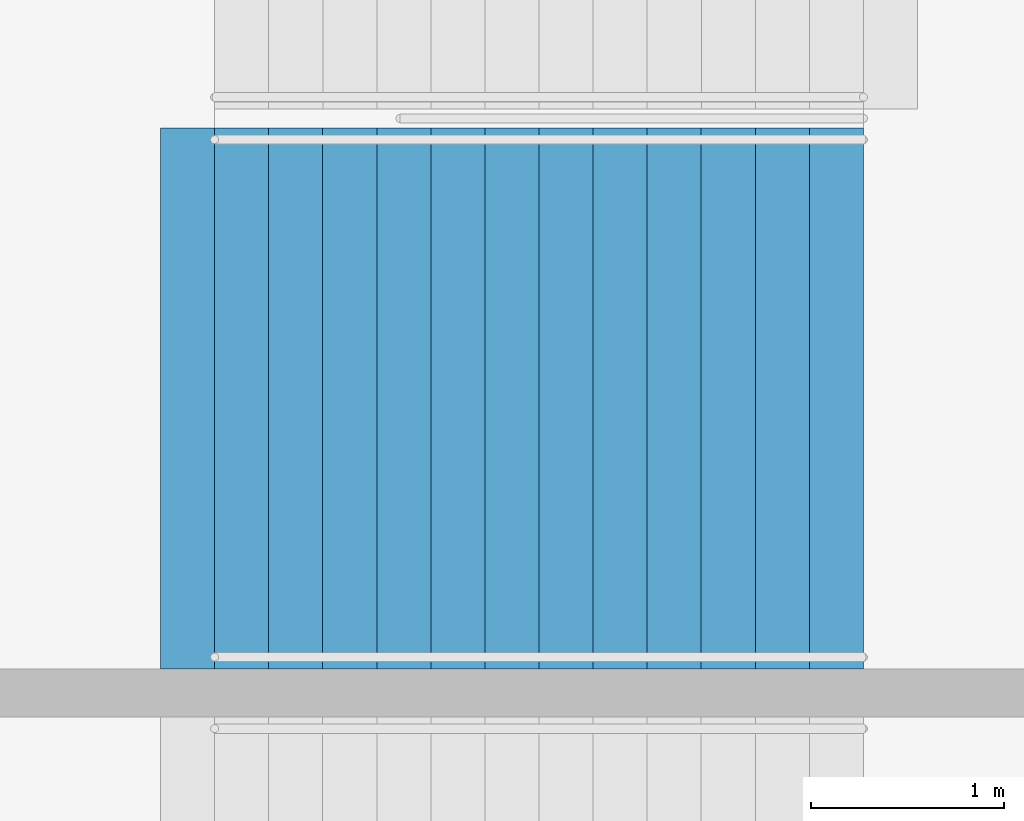
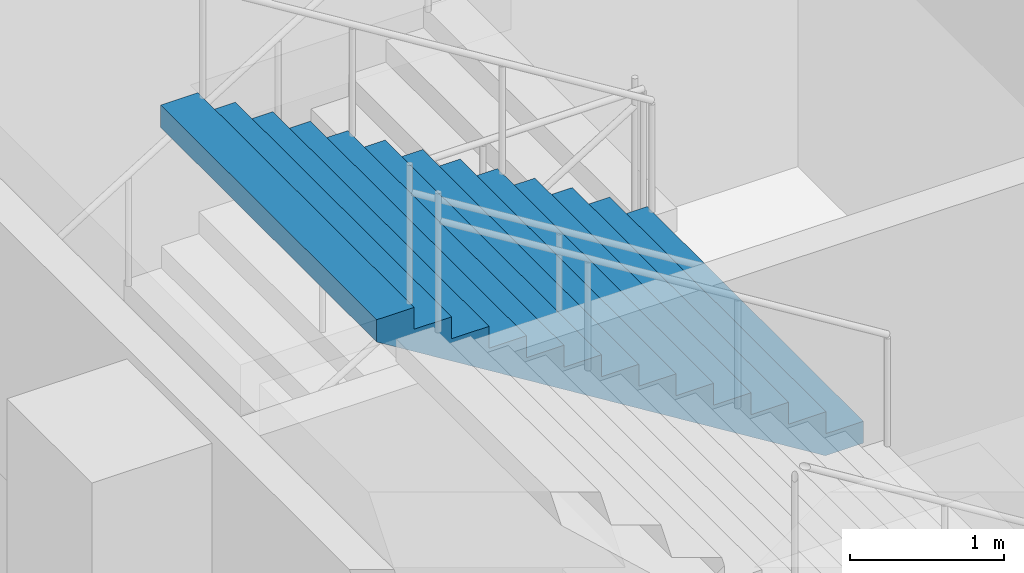
# One storey, part 106 of 175: 1 stair flight, 1 element without a shape of its own.
"""IFC4 building model written with IfcOpenShell, lengths in metres."""

from ifc_helpers import new_model, si_unit, direction, frame, origin, place, context, subcontext, project, spatial, faceted_brep, material, type_object, element, aggregate, save


model = new_model("IFC4")

# Units and contexts
model_context = context("Model", 3, precision=1e-05, world=origin(), true_north=direction((0.0, 1.0)))
body_context = subcontext(model_context, "Body", "Model", "MODEL_VIEW")
ifc_project = project(units=[si_unit("LENGTHUNIT", "METRE"), si_unit("AREAUNIT", "SQUARE_METRE"), si_unit("VOLUMEUNIT", "CUBIC_METRE"), si_unit("PLANEANGLEUNIT", "RADIAN"), si_unit("MASSUNIT", "GRAM", prefix="KILO")], contexts=[model_context])

# Site, building, storey
site_placement = place(None, origin())
site = spatial("IfcSite", under=ifc_project, at=site_placement, CompositionType="ELEMENT")
building_placement = place(site_placement, origin())
building = spatial("IfcBuilding", under=site, at=building_placement, Name="Ogive Plaza Stadium", CompositionType="ELEMENT")
storey_placement = place(building_placement, origin())
storey = spatial("IfcBuildingStorey", under=building, at=storey_placement, Name="L00", CompositionType="ELEMENT", Elevation=0.0)

# Stair, stair flight
ifc_material_1 = material(Name="Concrete C40/50", Category="concrete")
stair_type = type_object("IfcStairType", Name="Exit stair", PredefinedType="STRAIGHT_RUN_STAIR", material=ifc_material_1)
stair_placement = place(storey_placement, origin())
stair = element("IfcStair", 1, at=stair_placement, inside=storey, type_object=stair_type, Name="Exit stair ST04B L00 to L01", PredefinedType="STRAIGHT_RUN_STAIR")
ifc_material_2 = material(Name="Concrete C40/50", Category="concrete")
stair_flight_type = type_object("IfcStairFlightType", Name="Exit stair flight", PredefinedType="STRAIGHT", material=ifc_material_2)
stair_flight_placement = place(storey_placement, frame((79.7099609375, 9.02490234375, 2.25), z_axis=(0.0, 0.0, 1.0), x_axis=(-1.0, 0.0, 0.0)))
stair_flight = element("IfcStairFlight", 2, at=stair_flight_placement, type_object=stair_flight_type, Name="ST04B flight 2", NumberOfRisers=13, NumberOfTreads=12, PredefinedType="STRAIGHT", RiserHeight=0.173076923, TreadLength=0.28, context=body_context, shape_type="Brep", body=[
    faceted_brep([(0.28515625, -1.39990234375, 0.0), (3.639892578125, -1.39990234375, 2.07373046875), (3.639892578125, -1.39990234375, 2.25), (3.360107421875, -1.39990234375, 2.25), (3.360107421875, -1.39990234375, 2.076904296875), (3.080078125, -1.39990234375, 2.076904296875), (3.080078125, -1.39990234375, 1.90380859375), (2.800048828125, -1.39990234375, 1.90380859375), (2.800048828125, -1.39990234375, 1.730712890625), (2.52001953125, -1.39990234375, 1.730712890625), (2.52001953125, -1.39990234375, 1.5576171875), (2.239990234375, -1.39990234375, 1.5576171875), (2.239990234375, -1.39990234375, 1.384521484375), (1.9599609375, -1.39990234375, 1.384521484375), (1.9599609375, -1.39990234375, 1.21142578125), (1.679931640625, -1.39990234375, 1.21142578125), (1.679931640625, -1.39990234375, 1.03857421875), (1.39990234375, -1.39990234375, 1.03857421875), (1.39990234375, -1.39990234375, 0.865478515625), (1.1201171875, -1.39990234375, 0.865478515625), (1.1201171875, -1.39990234375, 0.6923828125), (0.840087890625, -1.39990234375, 0.6923828125), (0.840087890625, -1.39990234375, 0.519287109375), (0.56005859375, -1.39990234375, 0.519287109375), (0.56005859375, -1.39990234375, 0.34619140625), (0.280029296875, -1.39990234375, 0.34619140625), (0.280029296875, -1.39990234375, 0.173095703125), (0.0, -1.39990234375, 0.173095703125), (0.0, -1.39990234375, 0.0), (0.0, 1.39990234375, 0.0), (0.0, 1.39990234375, 0.173095703125), (0.280029296875, 1.39990234375, 0.173095703125), (0.280029296875, 1.39990234375, 0.34619140625), (0.56005859375, 1.39990234375, 0.34619140625), (0.56005859375, 1.39990234375, 0.519287109375), (0.840087890625, 1.39990234375, 0.519287109375), (0.840087890625, 1.39990234375, 0.6923828125), (1.1201171875, 1.39990234375, 0.6923828125), (1.1201171875, 1.39990234375, 0.865478515625), (1.39990234375, 1.39990234375, 0.865478515625), (1.39990234375, 1.39990234375, 1.03857421875), (1.679931640625, 1.39990234375, 1.03857421875), (1.679931640625, 1.39990234375, 1.21142578125), (1.9599609375, 1.39990234375, 1.21142578125), (1.9599609375, 1.39990234375, 1.384521484375), (2.239990234375, 1.39990234375, 1.384521484375), (2.239990234375, 1.39990234375, 1.5576171875), (2.52001953125, 1.39990234375, 1.5576171875), (2.52001953125, 1.39990234375, 1.730712890625), (2.800048828125, 1.39990234375, 1.730712890625), (2.800048828125, 1.39990234375, 1.90380859375), (3.080078125, 1.39990234375, 1.90380859375), (3.080078125, 1.39990234375, 2.076904296875), (3.360107421875, 1.39990234375, 2.076904296875), (3.360107421875, 1.39990234375, 2.25), (3.639892578125, 1.39990234375, 2.25), (3.639892578125, 1.39990234375, 2.07373046875), (0.28515625, 1.39990234375, 0.0), (0.28515625, -1.0888671875, 0.0), (3.639892578125, -1.0888671875, 2.07373046875), (0.28515625, -0.77783203125, 0.0), (3.639892578125, -0.77783203125, 2.07373046875), (0.28515625, -0.466796875, 0.0), (3.639892578125, -0.466796875, 2.07373046875), (0.28515625, -0.155517578125, 0.0), (3.639892578125, -0.155517578125, 2.07373046875), (0.28515625, 0.155517578125, 0.0), (3.639892578125, 0.155517578125, 2.07373046875), (0.28515625, 0.466796875, 0.0), (3.639892578125, 0.466796875, 2.07373046875), (0.28515625, 0.77783203125, 0.0), (3.639892578125, 0.77783203125, 2.07373046875), (0.28515625, 1.0888671875, 0.0), (3.639892578125, 1.0888671875, 2.07373046875), (3.639892578125, -1.0888671875, 2.25), (3.639892578125, -0.77783203125, 2.25), (3.639892578125, -0.466796875, 2.25), (3.639892578125, -0.155517578125, 2.25), (3.639892578125, 0.155517578125, 2.25), (3.639892578125, 0.466796875, 2.25), (3.639892578125, 0.77783203125, 2.25), (3.639892578125, 1.0888671875, 2.25), (3.360107421875, -1.0888671875, 2.25), (3.360107421875, -0.77783203125, 2.25), (3.360107421875, -0.466796875, 2.25), (3.360107421875, -0.155517578125, 2.25), (3.360107421875, 0.155517578125, 2.25), (3.360107421875, 0.466796875, 2.25), (3.360107421875, 0.77783203125, 2.25), (3.360107421875, 1.0888671875, 2.25), (3.360107421875, -1.0888671875, 2.076904296875), (3.360107421875, -0.77783203125, 2.076904296875), (3.360107421875, -0.466796875, 2.076904296875), (3.360107421875, -0.155517578125, 2.076904296875), (3.360107421875, 0.155517578125, 2.076904296875), (3.360107421875, 0.466796875, 2.076904296875), (3.360107421875, 0.77783203125, 2.076904296875), (3.360107421875, 1.0888671875, 2.076904296875), (3.080078125, -1.0888671875, 2.076904296875), (3.080078125, -0.77783203125, 2.076904296875), (3.080078125, -0.466796875, 2.076904296875), (3.080078125, -0.155517578125, 2.076904296875), (3.080078125, 0.155517578125, 2.076904296875), (3.080078125, 0.466796875, 2.076904296875), (3.080078125, 0.77783203125, 2.076904296875), (3.080078125, 1.0888671875, 2.076904296875), (3.080078125, -1.0888671875, 1.90380859375), (3.080078125, -0.77783203125, 1.90380859375), (3.080078125, -0.466796875, 1.90380859375), (3.080078125, -0.155517578125, 1.90380859375), (3.080078125, 0.155517578125, 1.90380859375), (3.080078125, 0.466796875, 1.90380859375), (3.080078125, 0.77783203125, 1.90380859375), (3.080078125, 1.0888671875, 1.90380859375), (2.800048828125, -1.0888671875, 1.90380859375), (2.800048828125, -0.77783203125, 1.90380859375), (2.800048828125, -0.466796875, 1.90380859375), (2.800048828125, -0.155517578125, 1.90380859375), (2.800048828125, 0.155517578125, 1.90380859375), (2.800048828125, 0.466796875, 1.90380859375), (2.800048828125, 0.77783203125, 1.90380859375), (2.800048828125, 1.0888671875, 1.90380859375), (2.800048828125, -1.0888671875, 1.730712890625), (2.800048828125, -0.77783203125, 1.730712890625), (2.800048828125, -0.466796875, 1.730712890625), (2.800048828125, -0.155517578125, 1.730712890625), (2.800048828125, 0.155517578125, 1.730712890625), (2.800048828125, 0.466796875, 1.730712890625), (2.800048828125, 0.77783203125, 1.730712890625), (2.800048828125, 1.0888671875, 1.730712890625), (2.52001953125, -1.0888671875, 1.730712890625), (2.52001953125, -0.77783203125, 1.730712890625), (2.52001953125, -0.466796875, 1.730712890625), (2.52001953125, -0.155517578125, 1.730712890625), (2.52001953125, 0.155517578125, 1.730712890625), (2.52001953125, 0.466796875, 1.730712890625), (2.52001953125, 0.77783203125, 1.730712890625), (2.52001953125, 1.0888671875, 1.730712890625), (2.52001953125, -1.0888671875, 1.5576171875), (2.52001953125, -0.77783203125, 1.5576171875), (2.52001953125, -0.466796875, 1.5576171875), (2.52001953125, -0.155517578125, 1.5576171875), (2.52001953125, 0.155517578125, 1.5576171875), (2.52001953125, 0.466796875, 1.5576171875), (2.52001953125, 0.77783203125, 1.5576171875), (2.52001953125, 1.0888671875, 1.5576171875), (2.239990234375, -1.0888671875, 1.5576171875), (2.239990234375, -0.77783203125, 1.5576171875), (2.239990234375, -0.466796875, 1.5576171875), (2.239990234375, -0.155517578125, 1.5576171875), (2.239990234375, 0.155517578125, 1.5576171875), (2.239990234375, 0.466796875, 1.5576171875), (2.239990234375, 0.77783203125, 1.5576171875), (2.239990234375, 1.0888671875, 1.5576171875), (2.239990234375, -1.0888671875, 1.384521484375), (2.239990234375, -0.77783203125, 1.384521484375), (2.239990234375, -0.466796875, 1.384521484375), (2.239990234375, -0.155517578125, 1.384521484375), (2.239990234375, 0.155517578125, 1.384521484375), (2.239990234375, 0.466796875, 1.384521484375), (2.239990234375, 0.77783203125, 1.384521484375), (2.239990234375, 1.0888671875, 1.384521484375), (1.9599609375, -1.0888671875, 1.384521484375), (1.9599609375, -0.77783203125, 1.384521484375), (1.9599609375, -0.466796875, 1.384521484375), (1.9599609375, -0.155517578125, 1.384521484375), (1.9599609375, 0.155517578125, 1.384521484375), (1.9599609375, 0.466796875, 1.384521484375), (1.9599609375, 0.77783203125, 1.384521484375), (1.9599609375, 1.0888671875, 1.384521484375), (1.9599609375, -1.0888671875, 1.21142578125), (1.9599609375, -0.77783203125, 1.21142578125), (1.9599609375, -0.466796875, 1.21142578125), (1.9599609375, -0.155517578125, 1.21142578125), (1.9599609375, 0.155517578125, 1.21142578125), (1.9599609375, 0.466796875, 1.21142578125), (1.9599609375, 0.77783203125, 1.21142578125), (1.9599609375, 1.0888671875, 1.21142578125), (1.679931640625, -1.0888671875, 1.21142578125), (1.679931640625, -0.77783203125, 1.21142578125), (1.679931640625, -0.466796875, 1.21142578125), (1.679931640625, -0.155517578125, 1.21142578125), (1.679931640625, 0.155517578125, 1.21142578125), (1.679931640625, 0.466796875, 1.21142578125), (1.679931640625, 0.77783203125, 1.21142578125), (1.679931640625, 1.0888671875, 1.21142578125), (1.679931640625, -1.0888671875, 1.03857421875), (1.679931640625, -0.77783203125, 1.03857421875), (1.679931640625, -0.466796875, 1.03857421875), (1.679931640625, -0.155517578125, 1.03857421875), (1.679931640625, 0.155517578125, 1.03857421875), (1.679931640625, 0.466796875, 1.03857421875), (1.679931640625, 0.77783203125, 1.03857421875), (1.679931640625, 1.0888671875, 1.03857421875), (1.39990234375, -1.0888671875, 1.03857421875), (1.39990234375, -0.77783203125, 1.03857421875), (1.39990234375, -0.466796875, 1.03857421875), (1.39990234375, -0.155517578125, 1.03857421875), (1.39990234375, 0.155517578125, 1.03857421875), (1.39990234375, 0.466796875, 1.03857421875), (1.39990234375, 0.77783203125, 1.03857421875), (1.39990234375, 1.0888671875, 1.03857421875), (1.39990234375, -1.0888671875, 0.865478515625), (1.39990234375, -0.77783203125, 0.865478515625), (1.39990234375, -0.466796875, 0.865478515625), (1.39990234375, -0.155517578125, 0.865478515625), (1.39990234375, 0.155517578125, 0.865478515625), (1.39990234375, 0.466796875, 0.865478515625), (1.39990234375, 0.77783203125, 0.865478515625), (1.39990234375, 1.0888671875, 0.865478515625), (1.1201171875, -1.0888671875, 0.865478515625), (1.1201171875, -0.77783203125, 0.865478515625), (1.1201171875, -0.466796875, 0.865478515625), (1.1201171875, -0.155517578125, 0.865478515625), (1.1201171875, 0.155517578125, 0.865478515625), (1.1201171875, 0.466796875, 0.865478515625), (1.1201171875, 0.77783203125, 0.865478515625), (1.1201171875, 1.0888671875, 0.865478515625), (1.1201171875, -1.0888671875, 0.6923828125), (1.1201171875, -0.77783203125, 0.6923828125), (1.1201171875, -0.466796875, 0.6923828125), (1.1201171875, -0.155517578125, 0.6923828125), (1.1201171875, 0.155517578125, 0.6923828125), (1.1201171875, 0.466796875, 0.6923828125), (1.1201171875, 0.77783203125, 0.6923828125), (1.1201171875, 1.0888671875, 0.6923828125), (0.840087890625, -1.0888671875, 0.6923828125), (0.840087890625, -0.77783203125, 0.6923828125), (0.840087890625, -0.466796875, 0.6923828125), (0.840087890625, -0.155517578125, 0.6923828125), (0.840087890625, 0.155517578125, 0.6923828125), (0.840087890625, 0.466796875, 0.6923828125), (0.840087890625, 0.77783203125, 0.6923828125), (0.840087890625, 1.0888671875, 0.6923828125), (0.840087890625, -1.0888671875, 0.519287109375), (0.840087890625, -0.77783203125, 0.519287109375), (0.840087890625, -0.466796875, 0.519287109375), (0.840087890625, -0.155517578125, 0.519287109375), (0.840087890625, 0.155517578125, 0.519287109375), (0.840087890625, 0.466796875, 0.519287109375), (0.840087890625, 0.77783203125, 0.519287109375), (0.840087890625, 1.0888671875, 0.519287109375), (0.56005859375, -1.0888671875, 0.519287109375), (0.56005859375, -0.77783203125, 0.519287109375), (0.56005859375, -0.466796875, 0.519287109375), (0.56005859375, -0.155517578125, 0.519287109375), (0.56005859375, 0.155517578125, 0.519287109375), (0.56005859375, 0.466796875, 0.519287109375), (0.56005859375, 0.77783203125, 0.519287109375), (0.56005859375, 1.0888671875, 0.519287109375), (0.56005859375, -1.0888671875, 0.34619140625), (0.56005859375, -0.77783203125, 0.34619140625), (0.56005859375, -0.466796875, 0.34619140625), (0.56005859375, -0.155517578125, 0.34619140625), (0.56005859375, 0.155517578125, 0.34619140625), (0.56005859375, 0.466796875, 0.34619140625), (0.56005859375, 0.77783203125, 0.34619140625), (0.56005859375, 1.0888671875, 0.34619140625), (0.280029296875, -1.0888671875, 0.34619140625), (0.280029296875, -0.77783203125, 0.34619140625), (0.280029296875, -0.466796875, 0.34619140625), (0.280029296875, -0.155517578125, 0.34619140625), (0.280029296875, 0.155517578125, 0.34619140625), (0.280029296875, 0.466796875, 0.34619140625), (0.280029296875, 0.77783203125, 0.34619140625), (0.280029296875, 1.0888671875, 0.34619140625), (0.280029296875, -1.0888671875, 0.173095703125), (0.280029296875, -0.77783203125, 0.173095703125), (0.280029296875, -0.466796875, 0.173095703125), (0.280029296875, -0.155517578125, 0.173095703125), (0.280029296875, 0.155517578125, 0.173095703125), (0.280029296875, 0.466796875, 0.173095703125), (0.280029296875, 0.77783203125, 0.173095703125), (0.280029296875, 1.0888671875, 0.173095703125), (0.0, -1.0888671875, 0.173095703125), (0.0, -0.77783203125, 0.173095703125), (0.0, -0.466796875, 0.173095703125), (0.0, -0.155517578125, 0.173095703125), (0.0, 0.155517578125, 0.173095703125), (0.0, 0.466796875, 0.173095703125), (0.0, 0.77783203125, 0.173095703125), (0.0, 1.0888671875, 0.173095703125), (0.0, -1.0888671875, 0.0), (0.0, -0.77783203125, 0.0), (0.0, -0.466796875, 0.0), (0.0, -0.155517578125, 0.0), (0.0, 0.155517578125, 0.0), (0.0, 0.466796875, 0.0), (0.0, 0.77783203125, 0.0), (0.0, 1.0888671875, 0.0)], [[[0, 1, 2, 3, 4, 5, 6, 7, 8, 9, 10, 11, 12, 13, 14, 15, 16, 17, 18, 19, 20, 21, 22, 23, 24, 25, 26, 27, 28]], [[29, 30, 31, 32, 33, 34, 35, 36, 37, 38, 39, 40, 41, 42, 43, 44, 45, 46, 47, 48, 49, 50, 51, 52, 53, 54, 55, 56, 57]], [[0, 58, 59, 1]], [[58, 60, 61, 59]], [[60, 62, 63, 61]], [[62, 64, 65, 63]], [[64, 66, 67, 65]], [[66, 68, 69, 67]], [[68, 70, 71, 69]], [[70, 72, 73, 71]], [[72, 57, 56, 73]], [[1, 59, 74, 2]], [[59, 61, 75, 74]], [[61, 63, 76, 75]], [[63, 65, 77, 76]], [[65, 67, 78, 77]], [[67, 69, 79, 78]], [[69, 71, 80, 79]], [[71, 73, 81, 80]], [[73, 56, 55, 81]], [[2, 74, 82, 3]], [[74, 75, 83, 82]], [[75, 76, 84, 83]], [[76, 77, 85, 84]], [[77, 78, 86, 85]], [[78, 79, 87, 86]], [[79, 80, 88, 87]], [[80, 81, 89, 88]], [[81, 55, 54, 89]], [[3, 82, 90, 4]], [[82, 83, 91, 90]], [[83, 84, 92, 91]], [[84, 85, 93, 92]], [[85, 86, 94, 93]], [[86, 87, 95, 94]], [[87, 88, 96, 95]], [[88, 89, 97, 96]], [[89, 54, 53, 97]], [[4, 90, 98, 5]], [[90, 91, 99, 98]], [[91, 92, 100, 99]], [[92, 93, 101, 100]], [[93, 94, 102, 101]], [[94, 95, 103, 102]], [[95, 96, 104, 103]], [[96, 97, 105, 104]], [[97, 53, 52, 105]], [[5, 98, 106, 6]], [[98, 99, 107, 106]], [[99, 100, 108, 107]], [[100, 101, 109, 108]], [[101, 102, 110, 109]], [[102, 103, 111, 110]], [[103, 104, 112, 111]], [[104, 105, 113, 112]], [[105, 52, 51, 113]], [[6, 106, 114, 7]], [[106, 107, 115, 114]], [[107, 108, 116, 115]], [[108, 109, 117, 116]], [[109, 110, 118, 117]], [[110, 111, 119, 118]], [[111, 112, 120, 119]], [[112, 113, 121, 120]], [[113, 51, 50, 121]], [[7, 114, 122, 8]], [[114, 115, 123, 122]], [[115, 116, 124, 123]], [[116, 117, 125, 124]], [[117, 118, 126, 125]], [[118, 119, 127, 126]], [[119, 120, 128, 127]], [[120, 121, 129, 128]], [[121, 50, 49, 129]], [[8, 122, 130, 9]], [[122, 123, 131, 130]], [[123, 124, 132, 131]], [[124, 125, 133, 132]], [[125, 126, 134, 133]], [[126, 127, 135, 134]], [[127, 128, 136, 135]], [[128, 129, 137, 136]], [[129, 49, 48, 137]], [[9, 130, 138, 10]], [[130, 131, 139, 138]], [[131, 132, 140, 139]], [[132, 133, 141, 140]], [[133, 134, 142, 141]], [[134, 135, 143, 142]], [[135, 136, 144, 143]], [[136, 137, 145, 144]], [[137, 48, 47, 145]], [[10, 138, 146, 11]], [[138, 139, 147, 146]], [[139, 140, 148, 147]], [[140, 141, 149, 148]], [[141, 142, 150, 149]], [[142, 143, 151, 150]], [[143, 144, 152, 151]], [[144, 145, 153, 152]], [[145, 47, 46, 153]], [[11, 146, 154, 12]], [[146, 147, 155, 154]], [[147, 148, 156, 155]], [[148, 149, 157, 156]], [[149, 150, 158, 157]], [[150, 151, 159, 158]], [[151, 152, 160, 159]], [[152, 153, 161, 160]], [[153, 46, 45, 161]], [[12, 154, 162, 13]], [[154, 155, 163, 162]], [[155, 156, 164, 163]], [[156, 157, 165, 164]], [[157, 158, 166, 165]], [[158, 159, 167, 166]], [[159, 160, 168, 167]], [[160, 161, 169, 168]], [[161, 45, 44, 169]], [[13, 162, 170, 14]], [[162, 163, 171, 170]], [[163, 164, 172, 171]], [[164, 165, 173, 172]], [[165, 166, 174, 173]], [[166, 167, 175, 174]], [[167, 168, 176, 175]], [[168, 169, 177, 176]], [[169, 44, 43, 177]], [[14, 170, 178, 15]], [[170, 171, 179, 178]], [[171, 172, 180, 179]], [[172, 173, 181, 180]], [[173, 174, 182, 181]], [[174, 175, 183, 182]], [[175, 176, 184, 183]], [[176, 177, 185, 184]], [[177, 43, 42, 185]], [[15, 178, 186, 16]], [[178, 179, 187, 186]], [[179, 180, 188, 187]], [[180, 181, 189, 188]], [[181, 182, 190, 189]], [[182, 183, 191, 190]], [[183, 184, 192, 191]], [[184, 185, 193, 192]], [[185, 42, 41, 193]], [[16, 186, 194, 17]], [[186, 187, 195, 194]], [[187, 188, 196, 195]], [[188, 189, 197, 196]], [[189, 190, 198, 197]], [[190, 191, 199, 198]], [[191, 192, 200, 199]], [[192, 193, 201, 200]], [[193, 41, 40, 201]], [[17, 194, 202, 18]], [[194, 195, 203, 202]], [[195, 196, 204, 203]], [[196, 197, 205, 204]], [[197, 198, 206, 205]], [[198, 199, 207, 206]], [[199, 200, 208, 207]], [[200, 201, 209, 208]], [[201, 40, 39, 209]], [[18, 202, 210, 19]], [[202, 203, 211, 210]], [[203, 204, 212, 211]], [[204, 205, 213, 212]], [[205, 206, 214, 213]], [[206, 207, 215, 214]], [[207, 208, 216, 215]], [[208, 209, 217, 216]], [[209, 39, 38, 217]], [[19, 210, 218, 20]], [[210, 211, 219, 218]], [[211, 212, 220, 219]], [[212, 213, 221, 220]], [[213, 214, 222, 221]], [[214, 215, 223, 222]], [[215, 216, 224, 223]], [[216, 217, 225, 224]], [[217, 38, 37, 225]], [[20, 218, 226, 21]], [[218, 219, 227, 226]], [[219, 220, 228, 227]], [[220, 221, 229, 228]], [[221, 222, 230, 229]], [[222, 223, 231, 230]], [[223, 224, 232, 231]], [[224, 225, 233, 232]], [[225, 37, 36, 233]], [[21, 226, 234, 22]], [[226, 227, 235, 234]], [[227, 228, 236, 235]], [[228, 229, 237, 236]], [[229, 230, 238, 237]], [[230, 231, 239, 238]], [[231, 232, 240, 239]], [[232, 233, 241, 240]], [[233, 36, 35, 241]], [[22, 234, 242, 23]], [[234, 235, 243, 242]], [[235, 236, 244, 243]], [[236, 237, 245, 244]], [[237, 238, 246, 245]], [[238, 239, 247, 246]], [[239, 240, 248, 247]], [[240, 241, 249, 248]], [[241, 35, 34, 249]], [[23, 242, 250, 24]], [[242, 243, 251, 250]], [[243, 244, 252, 251]], [[244, 245, 253, 252]], [[245, 246, 254, 253]], [[246, 247, 255, 254]], [[247, 248, 256, 255]], [[248, 249, 257, 256]], [[249, 34, 33, 257]], [[24, 250, 258, 25]], [[250, 251, 259, 258]], [[251, 252, 260, 259]], [[252, 253, 261, 260]], [[253, 254, 262, 261]], [[254, 255, 263, 262]], [[255, 256, 264, 263]], [[256, 257, 265, 264]], [[257, 33, 32, 265]], [[25, 258, 266, 26]], [[258, 259, 267, 266]], [[259, 260, 268, 267]], [[260, 261, 269, 268]], [[261, 262, 270, 269]], [[262, 263, 271, 270]], [[263, 264, 272, 271]], [[264, 265, 273, 272]], [[265, 32, 31, 273]], [[26, 266, 274, 27]], [[266, 267, 275, 274]], [[267, 268, 276, 275]], [[268, 269, 277, 276]], [[269, 270, 278, 277]], [[270, 271, 279, 278]], [[271, 272, 280, 279]], [[272, 273, 281, 280]], [[273, 31, 30, 281]], [[27, 274, 282, 28]], [[274, 275, 283, 282]], [[275, 276, 284, 283]], [[276, 277, 285, 284]], [[277, 278, 286, 285]], [[278, 279, 287, 286]], [[279, 280, 288, 287]], [[280, 281, 289, 288]], [[281, 30, 29, 289]], [[28, 282, 58, 0]], [[282, 283, 60, 58]], [[283, 284, 62, 60]], [[284, 285, 64, 62]], [[285, 286, 66, 64]], [[286, 287, 68, 66]], [[287, 288, 70, 68]], [[288, 289, 72, 70]], [[289, 29, 57, 72]]]),
])
aggregate(stair, [stair_flight])

save(model, "model.ifc")
